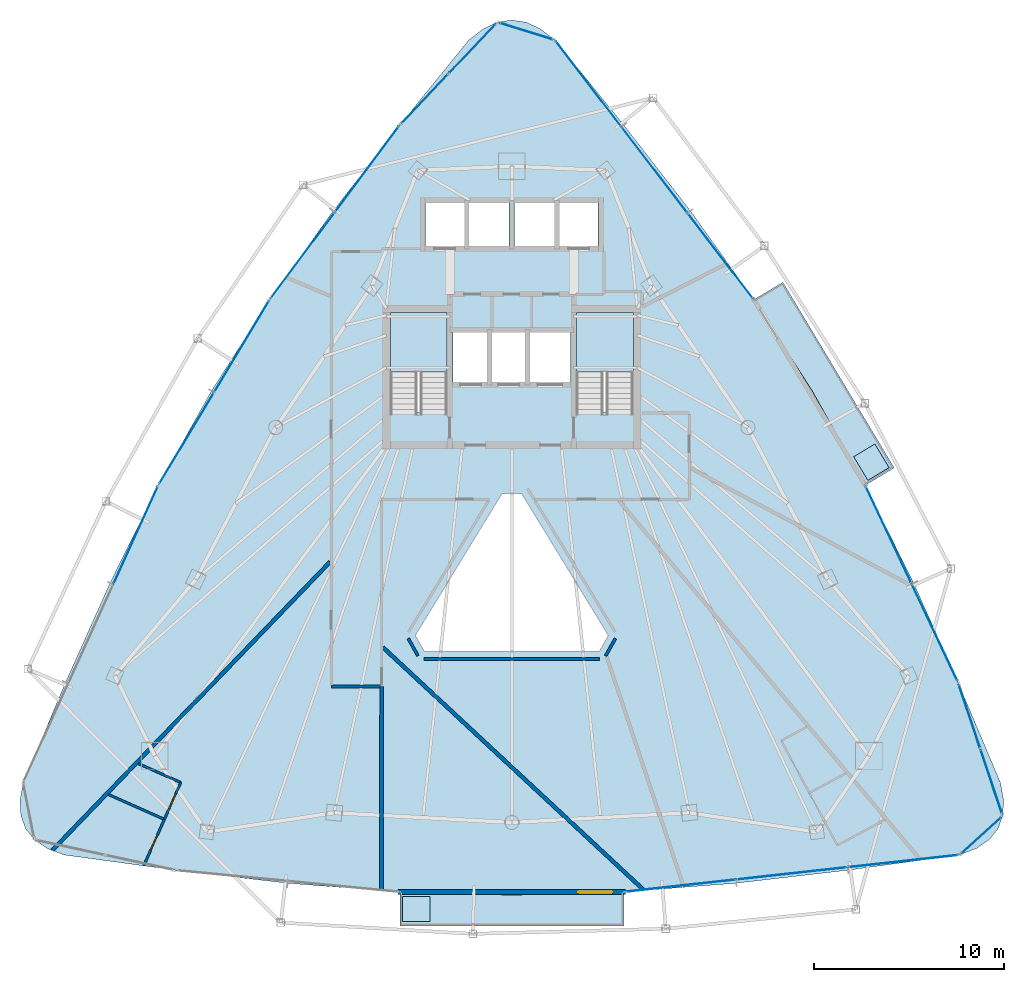
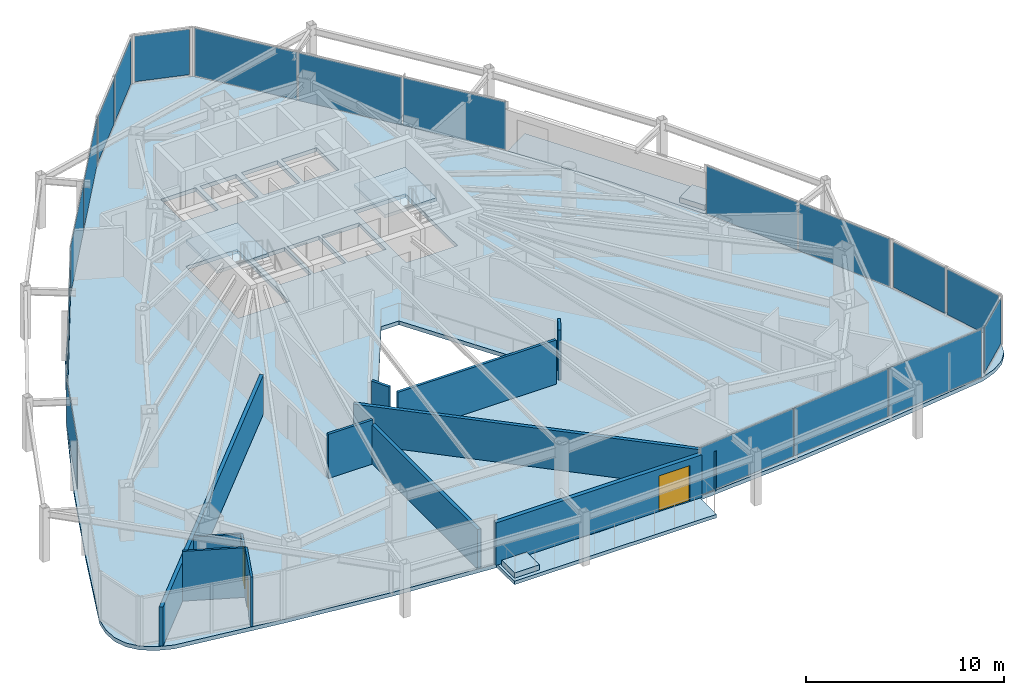
# One storey, part 26 of 31: 19 plates, 12 walls, 7 slabs, 3 doors, 3 openings, 12 elements without a shape of their own.
"""IFC4 building model written with IfcOpenShell, lengths in metres."""

from ifc_helpers import new_model, si_unit, direction, frame, frame_2d, origin, origin_2d, place, context, subcontext, project, spatial, polyline, rectangle, outline, extrude, material, layer, layer_set, type_object, element, fill, aggregate, save


model = new_model("IFC4")

# Units and contexts
model_context = context("Model", 3, precision=1e-05, world=origin(), true_north=direction((0.0, 1.0)))
body_context = subcontext(model_context, "Body", "Model", "MODEL_VIEW")
ifc_project = project(units=[si_unit("LENGTHUNIT", "METRE"), si_unit("AREAUNIT", "SQUARE_METRE"), si_unit("VOLUMEUNIT", "CUBIC_METRE"), si_unit("PLANEANGLEUNIT", "RADIAN"), si_unit("MASSUNIT", "GRAM", prefix="KILO")], contexts=[model_context])

# Site, building, storey
site_placement = place(None, origin())
site = spatial("IfcSite", under=ifc_project, at=site_placement, CompositionType="ELEMENT")
building_placement = place(site_placement, origin())
building = spatial("IfcBuilding", under=site, at=building_placement, Name="Orvanel Arch Residences", CompositionType="ELEMENT")
storey_placement = place(building_placement, frame((0.0, 0.0, 126.5)))
storey = spatial("IfcBuildingStorey", under=building, at=storey_placement, Name="L35", CompositionType="ELEMENT", Elevation=126.5)

# Curtain wall, plates
ifc_material_1 = material(Name="Bronze-anodised aluminium AA6063-T6", Category="aluminium")
ifc_layer_1 = layer(ifc_material_1, 0.179931640625)
ifc_layer_set_1 = layer_set([ifc_layer_1], Name="Bronze-anodised aluminium AA6063-T6")
curtain_wall_type_1 = type_object("IfcCurtainWallType", Name="CW3-MID-SYS", PredefinedType="NOTDEFINED", material=ifc_layer_set_1)
curtain_wall_1_placement = place(storey_placement, origin())
curtain_wall_1 = element("IfcCurtainWall", 1, at=curtain_wall_1_placement, inside=storey, type_object=curtain_wall_type_1, Name="L35 CW3-MID-SYS Unitised Curtain Wall", PredefinedType="NOTDEFINED")
ifc_material_2 = material(Name="Double-glazed solar-control low-E safety glass", Category="glass")
ifc_layer_2 = layer(ifc_material_2, 0.028076171875)
ifc_layer_set_2 = layer_set([ifc_layer_2], Name="Double-glazed solar-control low-E safety glass")
plate_type_1 = type_object("IfcPlateType", Name="PNL-GLZ-28", PredefinedType="CURTAIN_PANEL", material=ifc_layer_set_2)
plate_1_placement = place(storey_placement, frame((25.369873046875, 41.240478515625, 0.06005859375), z_axis=(0.0, 0.0, 1.0), x_axis=(-0.597389640291, -0.801951131724, 0.0)))
plate_1 = element("IfcPlate", 2, at=plate_1_placement, type_object=plate_type_1, Name="CW-S3 panel 1.1", PredefinedType="CURTAIN_PANEL", context=body_context, shape_type="SweptSolid", body=[
    extrude(rectangle(XDim=5.602294921875, YDim=0.028076171875, at=origin_2d()), origin(), (0.0, 0.0, 1.0), 2.93994140625),
])
plate_2_placement = place(storey_placement, frame((21.981201171875, 36.691650390625, 0.06005859375), z_axis=(0.0, 0.0, 1.0), x_axis=(-0.597389640291, -0.801951131724, 0.0)))
plate_2 = element("IfcPlate", 3, at=plate_2_placement, type_object=plate_type_1, Name="CW-S3 panel 2.1", PredefinedType="CURTAIN_PANEL", context=body_context, shape_type="SweptSolid", body=[
    extrude(rectangle(XDim=5.602294921875, YDim=0.028076171875, at=origin_2d()), origin(), (0.0, 0.0, 1.0), 2.93994140625),
])
aggregate(curtain_wall_1, [plate_1, plate_2])

curtain_wall_2_placement = place(storey_placement, origin())
curtain_wall_2 = element("IfcCurtainWall", 4, at=curtain_wall_2_placement, inside=storey, type_object=curtain_wall_type_1, Name="L35 CW3-MID-SYS Unitised Curtain Wall", PredefinedType="NOTDEFINED")
plate_3_placement = place(storey_placement, frame((18.774169921875, 31.906005859375, 0.06005859375), z_axis=(0.0, 0.0, 1.0), x_axis=(-0.514431016991, -0.857531765451, 0.0)))
plate_3 = element("IfcPlate", 5, at=plate_3_placement, type_object=plate_type_1, Name="CW-S3 panel 1.1", PredefinedType="CURTAIN_PANEL", context=body_context, shape_type="SweptSolid", body=[
    extrude(rectangle(XDim=5.573974609375, YDim=0.028076171875, at=origin_2d()), origin(), (0.0, 0.0, 1.0), 2.93994140625),
])
plate_4_placement = place(storey_placement, frame((15.870849609375, 27.06591796875, 0.06005859375), z_axis=(0.0, 0.0, 1.0), x_axis=(-0.514431016991, -0.857531765451, 0.0)))
plate_4 = element("IfcPlate", 6, at=plate_4_placement, type_object=plate_type_1, Name="CW-S3 panel 2.1", PredefinedType="CURTAIN_PANEL", context=body_context, shape_type="SweptSolid", body=[
    extrude(rectangle(XDim=5.573974609375, YDim=0.028076171875, at=origin_2d()), origin(), (0.0, 0.0, 1.0), 2.93994140625),
])
aggregate(curtain_wall_2, [plate_3, plate_4])

# Curtain wall, plate
curtain_wall_3_placement = place(storey_placement, origin())
curtain_wall_3 = element("IfcCurtainWall", 7, at=curtain_wall_3_placement, inside=storey, type_object=curtain_wall_type_1, Name="L35 CW3-MID-SYS Unitised Curtain Wall", PredefinedType="NOTDEFINED")
plate_5_placement = place(storey_placement, frame((13.19140625, 21.960205078125, 0.06005859375), z_axis=(0.0, 0.0, 1.0), x_axis=(-0.413895098306, -0.91032458365, 0.0)))
plate_5 = element("IfcPlate", 8, at=plate_5_placement, type_object=plate_type_1, Name="CW-S3 panel 1.1", PredefinedType="CURTAIN_PANEL", context=body_context, shape_type="SweptSolid", body=[
    extrude(rectangle(XDim=5.617919921875, YDim=0.028076171875, at=origin_2d()), origin(), (0.0, 0.0, 1.0), 2.93994140625),
])
aggregate(curtain_wall_3, [plate_5])

# Curtain wall, plates
curtain_wall_4_placement = place(storey_placement, origin())
curtain_wall_4 = element("IfcCurtainWall", 9, at=curtain_wall_4_placement, inside=storey, type_object=curtain_wall_type_1, Name="L35 CW3-MID-SYS Unitised Curtain Wall", PredefinedType="NOTDEFINED")
plate_6_placement = place(storey_placement, frame((41.873046875, 3.51318359375, 0.06005859375), z_axis=(0.0, 0.0, 1.0), x_axis=(0.993972721041, 0.109627687319, 0.0)))
plate_6 = element("IfcPlate", 10, at=plate_6_placement, type_object=plate_type_1, Name="CW-S3 panel 1.1", PredefinedType="CURTAIN_PANEL", context=body_context, shape_type="SweptSolid", body=[
    extrude(rectangle(XDim=5.81201171875, YDim=0.028076171875, at=origin_2d()), origin(), (0.0, 0.0, 1.0), 2.93994140625),
])
plate_7_placement = place(storey_placement, frame((47.737060546875, 4.159912109375, 0.06005859375), z_axis=(0.0, 0.0, 1.0), x_axis=(0.993972721041, 0.109627687319, 0.0)))
plate_7 = element("IfcPlate", 11, at=plate_7_placement, type_object=plate_type_1, Name="CW-S3 panel 2.1", PredefinedType="CURTAIN_PANEL", context=body_context, shape_type="SweptSolid", body=[
    extrude(rectangle(XDim=5.846923828125, YDim=0.028076171875, at=origin_2d()), origin(), (0.0, 0.0, 1.0), 2.93994140625),
])
plate_8_placement = place(storey_placement, frame((53.600830078125, 4.806640625, 0.06005859375), z_axis=(0.0, 0.0, 1.0), x_axis=(0.993972721041, 0.109627687319, 0.0)))
plate_8 = element("IfcPlate", 12, at=plate_8_placement, type_object=plate_type_1, Name="CW-S3 panel 3.1", PredefinedType="CURTAIN_PANEL", context=body_context, shape_type="SweptSolid", body=[
    extrude(rectangle(XDim=5.81201171875, YDim=0.028076171875, at=origin_2d()), origin(), (0.0, 0.0, 1.0), 2.93994140625),
])
aggregate(curtain_wall_4, [plate_6, plate_7, plate_8])

curtain_wall_5_placement = place(storey_placement, origin())
curtain_wall_5 = element("IfcCurtainWall", 13, at=curtain_wall_5_placement, inside=storey, type_object=curtain_wall_type_1, Name="L35 CW3-MID-SYS Unitised Curtain Wall", PredefinedType="NOTDEFINED")
plate_9_placement = place(storey_placement, frame((55.25927734375, 16.852294921875, 0.06005859375), z_axis=(0.0, 0.0, 1.0), x_axis=(-0.426206237326, 0.904626023981, 0.0)))
plate_9 = element("IfcPlate", 14, at=plate_9_placement, type_object=plate_type_1, Name="CW-S3 panel 1.1", PredefinedType="CURTAIN_PANEL", context=body_context, shape_type="SweptSolid", body=[
    extrude(rectangle(XDim=5.602294921875, YDim=0.028076171875, at=origin_2d()), origin(), (0.0, 0.0, 1.0), 2.93994140625),
])
plate_10_placement = place(storey_placement, frame((52.841796875, 21.983642578125, 0.06005859375), z_axis=(0.0, 0.0, 1.0), x_axis=(-0.426206237326, 0.904626023981, 0.0)))
plate_10 = element("IfcPlate", 15, at=plate_10_placement, type_object=plate_type_1, Name="CW-S3 panel 2.1", PredefinedType="CURTAIN_PANEL", context=body_context, shape_type="SweptSolid", body=[
    extrude(rectangle(XDim=5.602294921875, YDim=0.028076171875, at=origin_2d()), origin(), (0.0, 0.0, 1.0), 2.93994140625),
])
aggregate(curtain_wall_5, [plate_9, plate_10])

curtain_wall_6_placement = place(storey_placement, origin())
curtain_wall_6 = element("IfcCurtainWall", 16, at=curtain_wall_6_placement, inside=storey, type_object=curtain_wall_type_1, Name="L35 CW3-MID-SYS Unitised Curtain Wall", PredefinedType="NOTDEFINED")
plate_11_placement = place(storey_placement, frame((43.98291015625, 36.673828125, 0.06005859375), z_axis=(0.0, 0.0, 1.0), x_axis=(-0.608327589465, 0.793686048697, 0.0)))
plate_11 = element("IfcPlate", 17, at=plate_11_placement, type_object=plate_type_1, Name="CW-S3 panel 1.1", PredefinedType="CURTAIN_PANEL", context=body_context, shape_type="SweptSolid", body=[
    extrude(rectangle(XDim=5.6171875, YDim=0.028076171875, at=origin_2d()), origin(), (0.0, 0.0, 1.0), 2.93994140625),
])
plate_12_placement = place(storey_placement, frame((40.512451171875, 41.201416015625, 0.06005859375), z_axis=(0.0, 0.0, 1.0), x_axis=(-0.608327589465, 0.793686048697, 0.0)))
plate_12 = element("IfcPlate", 18, at=plate_12_placement, type_object=plate_type_1, Name="CW-S3 panel 2.1", PredefinedType="CURTAIN_PANEL", context=body_context, shape_type="SweptSolid", body=[
    extrude(rectangle(XDim=5.65234375, YDim=0.028076171875, at=origin_2d()), origin(), (0.0, 0.0, 1.0), 2.93994140625),
])
plate_13_placement = place(storey_placement, frame((37.042236328125, 45.729248046875, 0.06005859375), z_axis=(0.0, 0.0, 1.0), x_axis=(-0.608327589465, 0.793686048697, 0.0)))
plate_13 = element("IfcPlate", 19, at=plate_13_placement, type_object=plate_type_1, Name="CW-S3 panel 3.1", PredefinedType="CURTAIN_PANEL", context=body_context, shape_type="SweptSolid", body=[
    extrude(rectangle(XDim=5.6171875, YDim=0.028076171875, at=origin_2d()), origin(), (0.0, 0.0, 1.0), 2.93994140625),
])
aggregate(curtain_wall_6, [plate_11, plate_12, plate_13])

# Curtain wall, plate
ifc_layer_3 = layer(ifc_material_1, 0.18994140625)
ifc_layer_set_3 = layer_set([ifc_layer_3], Name="Bronze-anodised aluminium AA6063-T6")
curtain_wall_type_2 = type_object("IfcCurtainWallType", Name="CW5-CRN-SYS", PredefinedType="NOTDEFINED", material=ifc_layer_set_3)
curtain_wall_7_placement = place(storey_placement, origin())
curtain_wall_7 = element("IfcCurtainWall", 20, at=curtain_wall_7_placement, inside=storey, type_object=curtain_wall_type_2, Name="L35 CW5-CRN-SYS Unitised Curtain Wall", PredefinedType="NOTDEFINED")
ifc_layer_4 = layer(ifc_material_2, 0.031982421875)
ifc_layer_set_4 = layer_set([ifc_layer_4], Name="Double-glazed solar-control low-E safety glass")
plate_type_2 = type_object("IfcPlateType", Name="PNL-GLZ-32", PredefinedType="CURTAIN_PANEL", material=ifc_layer_set_4)
plate_14_placement = place(storey_placement, frame((33.759521484375, 48.5029296875, 0.1298828125), z_axis=(0.0, 0.0, 1.0), x_axis=(-0.954824681693, 0.297169694333, 0.0)))
plate_14 = element("IfcPlate", 21, at=plate_14_placement, type_object=plate_type_2, Name="CW-S5 panel 1.1", PredefinedType="CURTAIN_PANEL", context=body_context, shape_type="SweptSolid", body=[
    extrude(rectangle(XDim=2.843017578125, YDim=0.031982421875, at=origin_2d()), origin(), (0.0, 0.0, 1.0), 2.800048828125),
])
aggregate(curtain_wall_7, [plate_14])

# Curtain wall, plates
curtain_wall_8_placement = place(storey_placement, origin())
curtain_wall_8 = element("IfcCurtainWall", 22, at=curtain_wall_8_placement, inside=storey, type_object=curtain_wall_type_2, Name="L35 CW5-CRN-SYS Unitised Curtain Wall", PredefinedType="NOTDEFINED")
plate_15_placement = place(storey_placement, frame((30.92138671875, 47.587158203125, 0.1298828125), z_axis=(0.0, 0.0, 1.0), x_axis=(-0.688561931403, -0.725177541449, 0.0)))
plate_15 = element("IfcPlate", 23, at=plate_15_placement, type_object=plate_type_2, Name="CW-S5 panel 1.1", PredefinedType="CURTAIN_PANEL", context=body_context, shape_type="SweptSolid", body=[
    extrude(rectangle(XDim=3.4892578125, YDim=0.031982421875, at=origin_2d()), origin(), (0.0, 0.0, 1.0), 2.800048828125),
])
plate_16_placement = place(storey_placement, frame((28.41552734375, 44.947998046875, 0.1298828125), z_axis=(0.0, 0.0, 1.0), x_axis=(-0.688561931403, -0.725177541449, 0.0)))
plate_16 = element("IfcPlate", 24, at=plate_16_placement, type_object=plate_type_2, Name="CW-S5 panel 2.1", PredefinedType="CURTAIN_PANEL", context=body_context, shape_type="SweptSolid", body=[
    extrude(rectangle(XDim=3.4892578125, YDim=0.031982421875, at=origin_2d()), origin(), (0.0, 0.0, 1.0), 2.800048828125),
])
aggregate(curtain_wall_8, [plate_15, plate_16])

# Curtain wall, plate
curtain_wall_9_placement = place(storey_placement, origin())
curtain_wall_9 = element("IfcCurtainWall", 25, at=curtain_wall_9_placement, inside=storey, type_object=curtain_wall_type_2, Name="L35 CW5-CRN-SYS Unitised Curtain Wall", PredefinedType="NOTDEFINED")
plate_17_placement = place(storey_placement, frame((57.71337890625, 6.1650390625, 0.1298828125), z_axis=(0.0, 0.0, 1.0), x_axis=(0.740179363966, 0.672409480271, 0.0)))
plate_17 = element("IfcPlate", 26, at=plate_17_placement, type_object=plate_type_2, Name="CW-S5 panel 1.1", PredefinedType="CURTAIN_PANEL", context=body_context, shape_type="SweptSolid", body=[
    extrude(rectangle(XDim=2.724853515625, YDim=0.031982421875, at=origin_2d()), origin(), (0.0, 0.0, 1.0), 2.800048828125),
])
aggregate(curtain_wall_9, [plate_17])

# Curtain wall, plates
curtain_wall_10_placement = place(storey_placement, origin())
curtain_wall_10 = element("IfcCurtainWall", 27, at=curtain_wall_10_placement, inside=storey, type_object=curtain_wall_type_2, Name="L35 CW5-CRN-SYS Unitised Curtain Wall", PredefinedType="NOTDEFINED")
plate_18_placement = place(storey_placement, frame((58.244140625, 9.00048828125, 0.1298828125), z_axis=(0.0, 0.0, 1.0), x_axis=(-0.317364853099, 0.94830351155, 0.0)))
plate_18 = element("IfcPlate", 28, at=plate_18_placement, type_object=plate_type_2, Name="CW-S5 panel 1.1", PredefinedType="CURTAIN_PANEL", context=body_context, shape_type="SweptSolid", body=[
    extrude(rectangle(XDim=3.468017578125, YDim=0.031982421875, at=origin_2d()), origin(), (0.0, 0.0, 1.0), 2.800048828125),
])
plate_19_placement = place(storey_placement, frame((57.095947265625, 12.431396484375, 0.1298828125), z_axis=(0.0, 0.0, 1.0), x_axis=(-0.317364853099, 0.94830351155, 0.0)))
plate_19 = element("IfcPlate", 29, at=plate_19_placement, type_object=plate_type_2, Name="CW-S5 panel 2.1", PredefinedType="CURTAIN_PANEL", context=body_context, shape_type="SweptSolid", body=[
    extrude(rectangle(XDim=3.468017578125, YDim=0.031982421875, at=origin_2d()), origin(), (0.0, 0.0, 1.0), 2.800048828125),
])
aggregate(curtain_wall_10, [plate_18, plate_19])

# Slabs
ifc_material_3 = material(Name="Concrete N40 (40 MPa)", Category="concrete")
ifc_layer_5 = layer(ifc_material_3, 0.215087890625)
ifc_layer_set_5 = layer_set([ifc_layer_5], Name="Concrete N40 (40 MPa)")
slab_type_1 = type_object("IfcSlabType", Name="SLB-BAL-215", PredefinedType="FLOOR", material=ifc_layer_set_5)
slab_1_placement = place(storey_placement, frame((0.0, 0.0, -0.215087890625)))
element("IfcSlab", 30, at=slab_1_placement, inside=storey, type_object=slab_type_1, Name="L35 Cantilevered Balcony Slab Face 2", PredefinedType="FLOOR", context=body_context, shape_type="SweptSolid", body=[
    extrude(outline(polyline([(27.10498046875, 1.405029296875), (38.89501953125, 1.405029296875), (38.89501953125, 3.18505859375), (33.0, 3.02392578125), (27.10498046875, 3.18505859375), (27.10498046875, 1.405029296875)])), origin(), (0.0, 0.0, 1.0), 0.215087890625),
])
slab_2_placement = place(storey_placement, frame((0.0, 0.0, -0.215087890625)))
element("IfcSlab", 31, at=slab_2_placement, inside=storey, type_object=slab_type_1, Name="L35 Cantilevered Balcony Slab Face 3", PredefinedType="FLOOR", context=body_context, shape_type="SweptSolid", body=[
    extrude(outline(polyline([(53.135009765625, 25.513916015625), (47.27197265625, 35.2880859375), (45.74609375, 34.373046875), (48.81494140625, 29.568115234375), (51.60888671875, 24.59912109375), (53.135009765625, 25.513916015625)])), origin(), (0.0, 0.0, 1.0), 0.215087890625),
])

# Stair, slab
ifc_material_4 = material(Name="Precast concrete N50 (50 MPa)", Category="concrete")
stair_type = type_object("IfcStairType", Name="STR-DOG-184", PredefinedType="USERDEFINED", material=ifc_material_4)
stair_1_placement = place(storey_placement, origin())
stair_1 = element("IfcStair", 32, at=stair_1_placement, inside=storey, type_object=stair_type, Name="L35 Fire-Isolated Core Exit Stair 1", ObjectType="TWO_RETURN_STAIR", PredefinedType="USERDEFINED")
ifc_layer_6 = layer(ifc_material_3, 0.199951171875)
ifc_layer_set_6 = layer_set([ifc_layer_6], Name="Concrete N40 (40 MPa)")
slab_type_2 = type_object("IfcSlabType", Name="SLB-LND-200", PredefinedType="LANDING", material=ifc_layer_set_6)
slab_3_placement = place(storey_placement, frame((0.0, 0.0, 1.449951171875)))
slab_3 = element("IfcSlab", 33, at=slab_3_placement, type_object=slab_type_2, Name="ST-1 landing 1", PredefinedType="LANDING", context=body_context, shape_type="SweptSolid", body=[
    extrude(outline(polyline([(29.60009765625, 30.56005859375), (29.60009765625, 33.699951171875), (26.60009765625, 33.699951171875), (26.60009765625, 30.56005859375), (29.60009765625, 30.56005859375)])), origin(), (0.0, 0.0, 1.0), 0.199951171875),
])
aggregate(stair_1, [slab_3])

stair_2_placement = place(storey_placement, origin())
stair_2 = element("IfcStair", 34, at=stair_2_placement, inside=storey, type_object=stair_type, Name="L35 Fire-Isolated Core Exit Stair 2", ObjectType="TWO_RETURN_STAIR", PredefinedType="USERDEFINED")
slab_4_placement = place(storey_placement, frame((0.0, 0.0, 1.449951171875)))
slab_4 = element("IfcSlab", 35, at=slab_4_placement, type_object=slab_type_2, Name="ST-2 landing 1", PredefinedType="LANDING", context=body_context, shape_type="SweptSolid", body=[
    extrude(outline(polyline([(39.39990234375, 30.56005859375), (39.39990234375, 33.699951171875), (36.39990234375, 33.699951171875), (36.39990234375, 30.56005859375), (39.39990234375, 30.56005859375)])), origin(), (0.0, 0.0, 1.0), 0.199951171875),
])
aggregate(stair_2, [slab_4])

# Slabs
ifc_material_5 = material(Name="Structural architectural precast concrete N40 (40 MPa) planter", Category="concrete")
ifc_layer_7 = layer(ifc_material_5, 0.320068359375)
ifc_layer_set_7 = layer_set([ifc_layer_7], Name="Structural architectural precast concrete N40 (40 MPa) planter")
slab_type_3 = type_object("IfcSlabType", Name="SLB-PLN-320", PredefinedType="USERDEFINED", material=ifc_layer_set_7)
slab_5_placement = place(storey_placement, origin())
element("IfcSlab", 36, at=slab_5_placement, inside=storey, type_object=slab_type_3, Name="L35 Balcony TREE PLANTER Face 2", ObjectType="PLANTER", PredefinedType="USERDEFINED", context=body_context, shape_type="SweptSolid", body=[
    extrude(outline(polyline([(27.2548828125, 1.635009765625), (28.705078125, 1.635009765625), (28.705078125, 2.93505859375), (27.2548828125, 2.93505859375), (27.2548828125, 1.635009765625)])), origin(), (0.0, 0.0, 1.0), 0.320068359375),
])
slab_6_placement = place(storey_placement, origin())
element("IfcSlab", 37, at=slab_6_placement, inside=storey, type_object=slab_type_3, Name="L35 Balcony TREE PLANTER Face 3", ObjectType="PLANTER", PredefinedType="USERDEFINED", context=body_context, shape_type="SweptSolid", body=[
    extrude(outline(polyline([(52.861083984375, 25.52490234375), (52.114990234375, 26.76806640625), (51.0, 26.09912109375), (51.74609375, 24.85595703125), (52.861083984375, 25.52490234375)])), origin(), (0.0, 0.0, 1.0), 0.320068359375),
])
ifc_layer_8 = layer(ifc_material_3, 0.239990234375)
ifc_layer_set_8 = layer_set([ifc_layer_8], Name="Concrete N40 (40 MPa)")
slab_type_4 = type_object("IfcSlabType", Name="SLB-TYP-240", PredefinedType="FLOOR", material=ifc_layer_set_8)
slab_7_placement = place(storey_placement, frame((0.0, 0.0, -0.239990234375)))
element("IfcSlab", 38, at=slab_7_placement, inside=storey, type_object=slab_type_4, Name="L35 Tower Floor Slab", PredefinedType="FLOOR", context=body_context, shape_type="SweptSolid", body=[
    extrude(outline(polyline([(35.279052734375, 48.030029296875), (34.51904296875, 48.62109375), (33.760009765625, 48.97607421875), (33.0, 49.093994140625), (32.239990234375, 48.97607421875), (31.48095703125, 48.62109375), (30.720947265625, 48.030029296875), (27.096923828125, 43.55908203125), (23.577880859375, 39.02392578125), (20.25390625, 34.373046875), (17.18505859375, 29.568115234375), (14.39111328125, 24.59912109375), (11.85205078125, 19.47607421875), (9.508056640625, 14.237060546875), (7.26904296875, 8.93408203125), (7.10595703125, 8.006103515625), (7.152099609375, 7.195068359375), (7.406005859375, 6.5029296875), (7.868896484375, 5.928955078125), (8.5400390625, 5.472900390625), (9.4208984375, 5.135009765625), (15.31591796875, 4.326904296875), (21.2099609375, 3.64208984375), (27.10498046875, 3.18505859375), (33.0, 3.02392578125), (38.89501953125, 3.18505859375), (44.7900390625, 3.64208984375), (50.68408203125, 4.326904296875), (56.5791015625, 5.135009765625), (57.458984375, 5.472900390625), (58.131103515625, 5.928955078125), (58.593994140625, 6.5029296875), (58.847900390625, 7.195068359375), (58.89404296875, 8.006103515625), (58.72998046875, 8.93408203125), (56.491943359375, 14.237060546875), (54.14794921875, 19.47607421875), (51.60888671875, 24.59912109375), (48.81494140625, 29.568115234375), (45.74609375, 34.373046875), (42.422119140625, 39.02392578125), (38.903076171875, 43.55908203125), (35.279052734375, 48.030029296875)]), holes=[polyline([(26.60009765625, 28.429931640625), (26.60009765625, 33.699951171875), (29.60009765625, 33.699951171875), (29.60009765625, 28.429931640625), (26.60009765625, 28.429931640625)]), polyline([(36.39990234375, 28.429931640625), (36.39990234375, 33.699951171875), (39.39990234375, 33.699951171875), (39.39990234375, 28.429931640625), (36.39990234375, 28.429931640625)]), polyline([(29.89990234375, 32.64990234375), (31.75, 32.64990234375), (31.75, 29.949951171875), (29.89990234375, 29.949951171875), (29.89990234375, 32.64990234375)]), polyline([(31.89990234375, 32.64990234375), (33.75, 32.64990234375), (33.75, 29.949951171875), (31.89990234375, 29.949951171875), (31.89990234375, 32.64990234375)]), polyline([(33.89990234375, 32.64990234375), (36.10009765625, 32.64990234375), (36.10009765625, 29.949951171875), (33.89990234375, 29.949951171875), (33.89990234375, 32.64990234375)]), polyline([(28.449951171875, 39.449951171875), (30.5, 39.449951171875), (30.5, 37.199951171875), (28.449951171875, 37.199951171875), (28.449951171875, 39.449951171875)]), polyline([(35.5, 39.449951171875), (37.550048828125, 39.449951171875), (37.550048828125, 37.199951171875), (35.5, 37.199951171875), (35.5, 39.449951171875)]), polyline([(30.75, 39.449951171875), (32.85009765625, 39.449951171875), (32.85009765625, 37.199951171875), (30.75, 37.199951171875), (30.75, 39.449951171875)]), polyline([(33.14990234375, 39.449951171875), (35.25, 39.449951171875), (35.25, 37.199951171875), (33.14990234375, 37.199951171875), (33.14990234375, 39.449951171875)]), polyline([(38.0859375, 16.69189453125), (37.614013671875, 15.84912109375), (28.385986328125, 15.84912109375), (27.9140625, 16.69189453125), (32.485107421875, 24.1689453125), (33.514892578125, 24.1689453125), (38.0859375, 16.69189453125)])]), origin(), (0.0, 0.0, 1.0), 0.239990234375),
])

# Wall, opening, door
ifc_layer_9 = layer(ifc_material_4, 0.239990234375)
ifc_layer_set_9 = layer_set([ifc_layer_9], Name="Precast concrete N50 (50 MPa)")
wall_type_1 = type_object("IfcWallType", Name="EW-BAL-240", PredefinedType="SOLIDWALL", material=ifc_layer_set_9)
wall_1_placement = place(storey_placement, frame((27.007080078125, 3.18505859375, 0.0), z_axis=(0.0, 0.0, 1.0), x_axis=(1.0, 0.0, 0.0)))
wall_1 = element("IfcWall", 39, at=wall_1_placement, inside=storey, type_object=wall_type_1, Name="L35 Balcony Threshold Wall Face 2", PredefinedType="SOLIDWALL", context=body_context, shape_type="SweptSolid", body=[
    extrude(rectangle(XDim=11.98583984375, YDim=0.239990234375, at=frame_2d((5.992919921875, 0.0))), origin(), (0.0, 0.0, 1.0), 2.6240234375),
])
opening_1_placement = place(wall_1_placement, frame((9.488037109375, 0.0, 0.0)))
opening_1 = element("IfcOpeningElement", 40, at=opening_1_placement, cuts=wall_1, Name="Opening DB-180", PredefinedType="OPENING", context=body_context, shape_type="SweptSolid", body=[
    extrude(rectangle(XDim=1.800048828125, YDim=2.199951171875, at=frame_2d((0.89990234375, 1.10009765625))), frame((0.0, 0.1298828125, 0.0), z_axis=(0.0, -1.0, 0.0), x_axis=(1.0, 0.0, 0.0)), (0.0, 0.0, 1.0), 0.260009765625),
])
door_type_1 = type_object("IfcDoorType", Name="DR-BAL-1800", OperationType="NOTDEFINED", PredefinedType="DOOR", material=ifc_material_1)
door_1_placement = place(opening_1_placement, origin())
door_1 = element("IfcDoor", 41, at=door_1_placement, inside=storey, type_object=door_type_1, Name="DR-L35-BAL-F2 L35 Planted Balcony Access Door Face 2", OperationType="SINGLE_SWING_RIGHT", OverallHeight=2.199951171875, OverallWidth=1.800048828125, PredefinedType="DOOR", context=body_context, shape_type="SweptSolid", body=[
    extrude(rectangle(XDim=1.800048828125, YDim=2.199951171875, at=frame_2d((0.89990234375, 1.10009765625))), frame((0.0, 0.02490234375, 0.0), z_axis=(0.0, -1.0, 0.0), x_axis=(1.0, 0.0, 0.0)), (0.0, 0.0, 1.0), 0.050048828125),
])
fill(opening_1, door_1)

# Walls
ifc_material_6 = material(Name="Fire-rated plasterboard lined steel stud partition", Category="steel")
ifc_layer_10 = layer(ifc_material_6, 0.14990234375)
ifc_layer_set_10 = layer_set([ifc_layer_10], Name="Fire-rated plasterboard lined steel stud partition")
wall_type_2 = type_object("IfcWallType", Name="W-COR-150", PredefinedType="PARTITIONING", material=ifc_layer_set_10)
wall_2_placement = place(storey_placement, frame((26.090087890625, 14.0, 0.0), z_axis=(0.0, 0.0, 1.0), x_axis=(-1.0, 0.0, 0.0)))
element("IfcWall", 42, at=wall_2_placement, inside=storey, type_object=wall_type_2, Name="L35 Corridor Fire-Rated Partition", PredefinedType="PARTITIONING", context=body_context, shape_type="SweptSolid", body=[
    extrude(rectangle(XDim=2.590087890625, YDim=0.14990234375, at=frame_2d((1.294921875, 0.0))), origin(), (0.0, 0.0, 1.0), 2.720947265625),
])
wall_3_placement = place(storey_placement, frame((38.451904296875, 16.531005859375, 0.0), z_axis=(0.0, 0.0, 1.0), x_axis=(-0.488539276118, -0.872541904833, 0.0)))
element("IfcWall", 43, at=wall_3_placement, inside=storey, type_object=wall_type_2, Name="L35 Atrium Overlook Glazed Partition", PredefinedType="PARTITIONING", context=body_context, shape_type="SweptSolid", body=[
    extrude(rectangle(XDim=1.0439453125, YDim=0.14990234375, at=frame_2d((0.52197265625, 0.0))), origin(), (0.0, 0.0, 1.0), 3.06005859375),
])
wall_4_placement = place(storey_placement, frame((37.614013671875, 15.448974609375, 0.0), z_axis=(0.0, 0.0, 1.0), x_axis=(-1.0, 0.0, 0.0)))
element("IfcWall", 44, at=wall_4_placement, inside=storey, type_object=wall_type_2, Name="L35 Atrium Overlook Glazed Partition", PredefinedType="PARTITIONING", context=body_context, shape_type="SweptSolid", body=[
    extrude(rectangle(XDim=9.22802734375, YDim=0.14990234375, at=frame_2d((4.614013671875, 0.0))), origin(), (0.0, 0.0, 1.0), 2.720947265625),
])
wall_5_placement = place(storey_placement, frame((28.05810546875, 15.6201171875, 0.0), z_axis=(0.0, 0.0, 1.0), x_axis=(-0.488539276118, 0.872541904833, 0.0)))
element("IfcWall", 45, at=wall_5_placement, inside=storey, type_object=wall_type_2, Name="L35 Atrium Overlook Glazed Partition", PredefinedType="PARTITIONING", context=body_context, shape_type="SweptSolid", body=[
    extrude(rectangle(XDim=1.0439453125, YDim=0.14990234375, at=frame_2d((0.52197265625, 0.0))), origin(), (0.0, 0.0, 1.0), 3.06005859375),
])
ifc_layer_11 = layer(ifc_material_6, 0.199951171875)
ifc_layer_set_11 = layer_set([ifc_layer_11], Name="Fire-rated plasterboard lined steel stud partition")
wall_type_3 = type_object("IfcWallType", Name="W-DEM-200", PredefinedType="PARTITIONING", material=ifc_layer_set_11)
wall_6_placement = place(storey_placement, frame((23.43994140625, 20.572021484375, 0.0), z_axis=(0.0, 0.0, 1.0), x_axis=(-0.693655036552, -0.720307358193, 0.0)))
element("IfcWall", 46, at=wall_6_placement, inside=storey, type_object=wall_type_3, Name="L35 Inter-Tenancy Acoustic Demising Wall", PredefinedType="PARTITIONING", context=body_context, shape_type="SweptSolid", body=[
    extrude(rectangle(XDim=21.086669921875, YDim=0.199951171875, at=frame_2d((10.54345703125, 0.0))), origin(), (0.0, 0.0, 1.0), 2.4130859375),
])
wall_7_placement = place(storey_placement, frame((26.14892578125, 14.0, 0.0), z_axis=(0.0, 0.0, 1.0), x_axis=(-0.001570678691, -0.999998766483, 0.0)))
element("IfcWall", 47, at=wall_7_placement, inside=storey, type_object=wall_type_3, Name="L35 Inter-Tenancy Acoustic Demising Wall", PredefinedType="PARTITIONING", context=body_context, shape_type="SweptSolid", body=[
    extrude(rectangle(XDim=10.72509765625, YDim=0.199951171875, at=frame_2d((5.362548828125, 0.0))), origin(), (0.0, 0.0, 1.0), 2.4130859375),
])
wall_8_placement = place(storey_placement, frame((39.9580078125, 3.278076171875, 0.0), z_axis=(0.0, 0.0, 1.0), x_axis=(-0.732155976475, 0.681137009795, 0.0)))
element("IfcWall", 48, at=wall_8_placement, inside=storey, type_object=wall_type_3, Name="L35 Inter-Tenancy Acoustic Demising Wall", PredefinedType="PARTITIONING", context=body_context, shape_type="SweptSolid", body=[
    extrude(rectangle(XDim=18.777587890625, YDim=0.199951171875, at=frame_2d((9.388671875, 0.0))), origin(), (0.0, 0.0, 1.0), 2.4130859375),
])

# Wall, opening, door
ifc_material_7 = material(Name="Acoustic plasterboard lined twin-stud partition", Category="gypsum")
ifc_layer_12 = layer(ifc_material_7, 0.1201171875)
ifc_layer_set_12 = layer_set([ifc_layer_12], Name="Acoustic plasterboard lined twin-stud partition")
wall_type_4 = type_object("IfcWallType", Name="W-WET-120", PredefinedType="PARTITIONING", material=ifc_layer_set_12)
wall_9_placement = place(storey_placement, frame((14.70703125, 7.009033203125, 0.0), z_axis=(0.0, 0.0, 1.0), x_axis=(0.406127806348, 0.913816286193, 0.0)))
wall_9 = element("IfcWall", 49, at=wall_9_placement, inside=storey, type_object=wall_type_4, Name="L35 Studio B Bathroom Partition", PredefinedType="PARTITIONING", context=body_context, shape_type="SweptSolid", body=[
    extrude(rectangle(XDim=2.125, YDim=0.1201171875, at=frame_2d((1.0625, 0.0))), origin(), (0.0, 0.0, 1.0), 2.4130859375),
])
opening_2_placement = place(wall_9_placement, frame((0.653076171875, 0.0, 0.0)))
opening_2 = element("IfcOpeningElement", 50, at=opening_2_placement, cuts=wall_9, Name="Opening DW-082", PredefinedType="OPENING", context=body_context, shape_type="SweptSolid", body=[
    extrude(rectangle(XDim=0.820068359375, YDim=2.10009765625, at=frame_2d((0.41015625, 1.050048828125))), frame((0.0, 0.070068359375, 0.0), z_axis=(0.0, -1.0, 0.0), x_axis=(1.0, 0.0, 0.0)), (0.0, 0.0, 1.0), 0.14013671875),
])
ifc_material_8 = material(Name="Solid-core European oak veneer fire door leaf", Category="wood")
door_type_2 = type_object("IfcDoorType", Name="DR-WET-820", OperationType="NOTDEFINED", PredefinedType="DOOR", material=ifc_material_8)
door_2_placement = place(opening_2_placement, origin())
door_2 = element("IfcDoor", 51, at=door_2_placement, inside=storey, type_object=door_type_2, Name="DR-L35-B-BATH L35 Studio B Bathroom Door", OperationType="SINGLE_SWING_RIGHT", OverallHeight=2.10009765625, OverallWidth=0.820068359375, PredefinedType="DOOR", context=body_context, shape_type="SweptSolid", body=[
    extrude(rectangle(XDim=0.820068359375, YDim=2.10009765625, at=frame_2d((0.41015625, 1.050048828125))), frame((0.0, 0.02490234375, 0.0), z_axis=(0.0, -1.0, 0.0), x_axis=(1.0, 0.0, 0.0)), (0.0, 0.0, 1.0), 0.050048828125),
])
fill(opening_2, door_2)

# Wall
wall_10_placement = place(storey_placement, frame((15.570068359375, 8.950927734375, 0.0), z_axis=(0.0, 0.0, 1.0), x_axis=(-0.91379514288, 0.406175376961, 0.0)))
element("IfcWall", 52, at=wall_10_placement, inside=storey, type_object=wall_type_4, Name="L35 Studio B Bathroom Partition", PredefinedType="PARTITIONING", context=body_context, shape_type="SweptSolid", body=[
    extrude(rectangle(XDim=2.454833984375, YDim=0.1201171875, at=frame_2d((1.2275390625, 0.0))), origin(), (0.0, 0.0, 1.0), 2.4130859375),
])

# Wall, opening, door
wall_11_placement = place(storey_placement, frame((13.625, 4.573974609375, 0.0), z_axis=(0.0, 0.0, 1.0), x_axis=(0.406070456553, 0.913841772034, 0.0)))
wall_11 = element("IfcWall", 53, at=wall_11_placement, inside=storey, type_object=wall_type_4, Name="L35 Studio B Internal Partition", PredefinedType="PARTITIONING", context=body_context, shape_type="SweptSolid", body=[
    extrude(rectangle(XDim=2.66455078125, YDim=0.1201171875, at=frame_2d((1.332275390625, 0.0))), origin(), (0.0, 0.0, 1.0), 3.06005859375),
])
opening_3_placement = place(wall_11_placement, frame((0.89208984375, 0.0, 0.0)))
opening_3 = element("IfcOpeningElement", 54, at=opening_3_placement, cuts=wall_11, Name="Opening DI-088", PredefinedType="OPENING", context=body_context, shape_type="SweptSolid", body=[
    extrude(rectangle(XDim=0.8798828125, YDim=2.10009765625, at=frame_2d((0.43994140625, 1.050048828125))), frame((0.0, 0.070068359375, 0.0), z_axis=(0.0, -1.0, 0.0), x_axis=(1.0, 0.0, 0.0)), (0.0, 0.0, 1.0), 0.14013671875),
])
door_type_3 = type_object("IfcDoorType", Name="DR-INT-880", OperationType="NOTDEFINED", PredefinedType="DOOR", material=ifc_material_8)
door_3_placement = place(opening_3_placement, origin())
door_3 = element("IfcDoor", 55, at=door_3_placement, inside=storey, type_object=door_type_3, Name="DR-L35-B-KIT L35 Studio B Kitchenette Door", OperationType="SINGLE_SWING_LEFT", OverallHeight=2.10009765625, OverallWidth=0.8798828125, PredefinedType="DOOR", context=body_context, shape_type="SweptSolid", body=[
    extrude(rectangle(XDim=0.8798828125, YDim=2.10009765625, at=frame_2d((0.43994140625, 1.050048828125))), frame((0.0, 0.02490234375, 0.0), z_axis=(0.0, -1.0, 0.0), x_axis=(1.0, 0.0, 0.0)), (0.0, 0.0, 1.0), 0.050048828125),
])
fill(opening_3, door_3)

# Wall
wall_12_placement = place(storey_placement, frame((14.70703125, 7.009033203125, 0.0), z_axis=(0.0, 0.0, 1.0), x_axis=(-0.913880174296, 0.40598402312, 0.0)))
element("IfcWall", 56, at=wall_12_placement, inside=storey, type_object=wall_type_4, Name="L35 Studio B Bathroom Partition", PredefinedType="PARTITIONING", context=body_context, shape_type="SweptSolid", body=[
    extrude(rectangle(XDim=3.226806640625, YDim=0.1201171875, at=frame_2d((1.61328125, 0.0))), origin(), (0.0, 0.0, 1.0), 3.06005859375),
])

save(model, "model.ifc")
